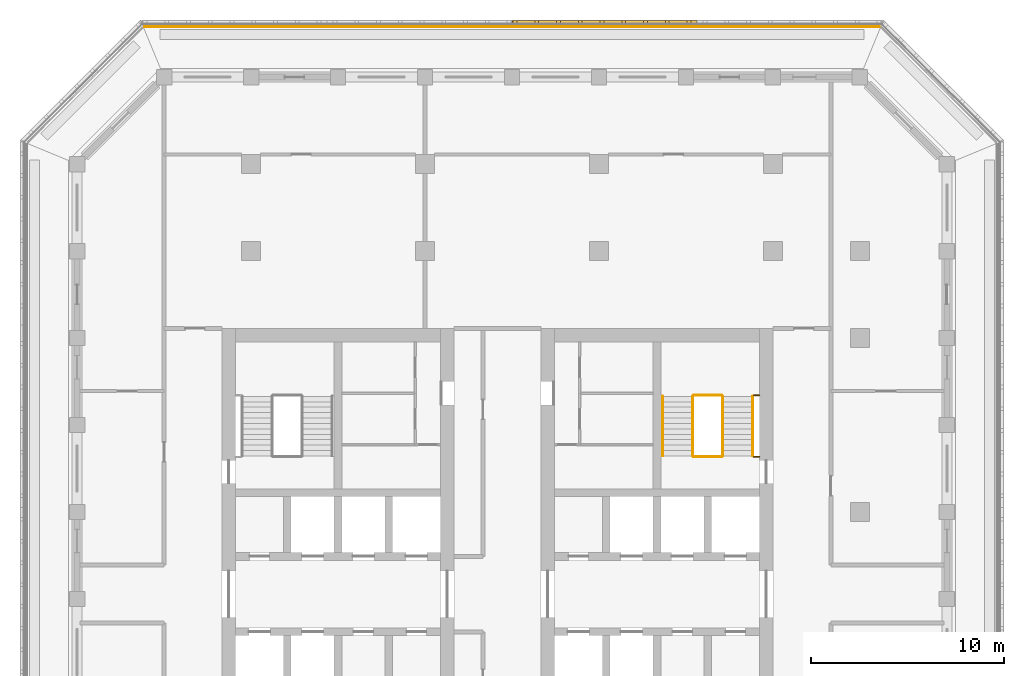
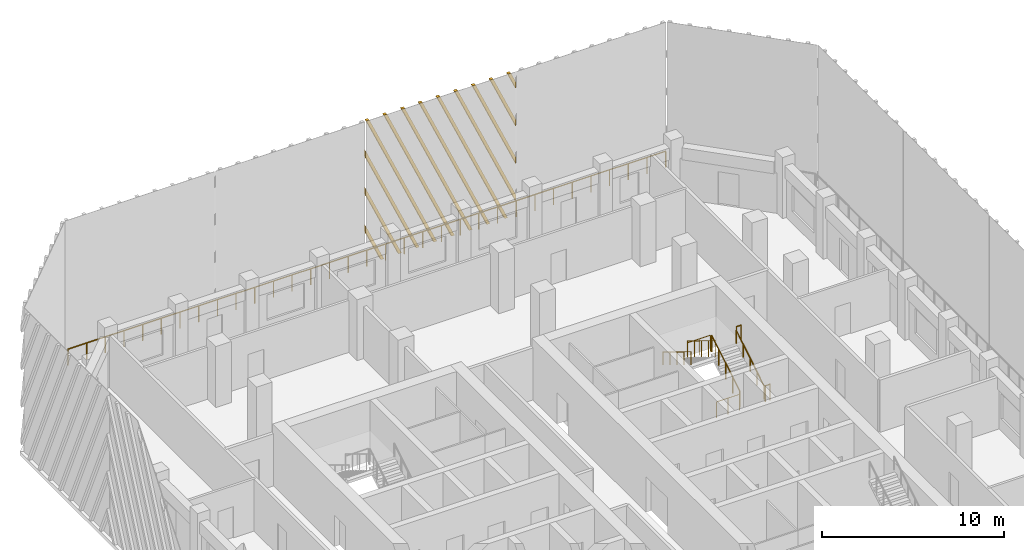
# One storey, part 15 of 17: 9 railings, 1 shading device.
"""IFC4 building model written with IfcOpenShell, lengths in metres."""

from ifc_helpers import new_model, si_unit, direction, frame, origin, origin_2d, place, context, subcontext, project, spatial, polyline, circle, outline, extrude, source, transform, mapped, material, type_object, element, save


model = new_model("IFC4")

# Units and contexts
model_context = context("Model", 3, precision=1e-05, world=origin(), true_north=direction((0.0, 1.0)))
body_context = subcontext(model_context, "Body", "Model", "MODEL_VIEW")
ifc_project = project(units=[si_unit("LENGTHUNIT", "METRE"), si_unit("AREAUNIT", "SQUARE_METRE"), si_unit("VOLUMEUNIT", "CUBIC_METRE"), si_unit("PLANEANGLEUNIT", "RADIAN"), si_unit("MASSUNIT", "GRAM", prefix="KILO")], contexts=[model_context])

# Site, building, storey
site_placement = place(None, origin())
site = spatial("IfcSite", under=ifc_project, at=site_placement, CompositionType="ELEMENT")
building_placement = place(site_placement, origin())
building = spatial("IfcBuilding", under=site, at=building_placement, Name="Corbel Stack Research Tower", CompositionType="ELEMENT")
storey_placement = place(building_placement, frame((0.0, 0.0, 256.199951171875)))
storey = spatial("IfcBuildingStorey", under=building, at=storey_placement, Name="L58", CompositionType="ELEMENT", Elevation=256.199951171875)

# Railings
ifc_material_1 = material(Name="Steel S355", Category="steel")
railing_type_1 = type_object("IfcRailingType", Name="Stair guard 1100", PredefinedType="GUARDRAIL", material=ifc_material_1)
railing_1_placement = place(storey_placement, frame((15.39990234375, 11.89990234375, 0.1708984375)))
element("IfcRailing", 1, at=railing_1_placement, inside=storey, type_object=railing_type_1, Name="L58 ST-E2 stair guard 1", PredefinedType="GUARDRAIL", context=body_context, shape_type="SweptSolid", body=[
    extrude(circle(Radius=0.02392578125, at=origin_2d()), frame((0.0, 0.0, 1.076171875), z_axis=(0.0, 0.853666305674, 0.52082035152), x_axis=(-1.0, 0.0, 0.0)), (0.0, 0.0, 1.0), 3.608154296875),
    extrude(circle(Radius=0.02099609375, at=origin_2d()), origin(), (0.0, 0.0, 1.0), 1.052001953125),
    extrude(circle(Radius=0.02099609375, at=origin_2d()), frame((0.0, 0.77001953125, 0.4697265625)), (0.0, 0.0, 1.0), 1.052001953125),
    extrude(circle(Radius=0.02099609375, at=origin_2d()), frame((0.0, 1.5400390625, 0.939453125)), (0.0, 0.0, 1.0), 1.052001953125),
    extrude(circle(Radius=0.02099609375, at=origin_2d()), frame((0.0, 2.31005859375, 1.409423828125)), (0.0, 0.0, 1.0), 1.052001953125),
    extrude(circle(Radius=0.02099609375, at=origin_2d()), frame((0.0, 3.080078125, 1.879150390625)), (0.0, 0.0, 1.0), 1.052001953125),
])
railing_2_placement = place(storey_placement, frame((15.35009765625, 15.030029296875, 2.050048828125)))
element("IfcRailing", 2, at=railing_2_placement, inside=storey, type_object=railing_type_1, Name="L58 ST-E2 stair guard 2", PredefinedType="GUARDRAIL", context=body_context, shape_type="SweptSolid", body=[
    extrude(circle(Radius=0.02392578125, at=origin_2d()), frame((0.0, 0.0, 1.076171875), z_axis=(-1.0, 0.0, 0.0), x_axis=(0.0, -1.0, 0.0)), (0.0, 0.0, 1.0), 1.4501953125),
    extrude(circle(Radius=0.02099609375, at=origin_2d()), origin(), (0.0, 0.0, 1.0), 1.052001953125),
    extrude(circle(Radius=0.02099609375, at=origin_2d()), frame((-0.72509765625, 0.0, 0.0)), (0.0, 0.0, 1.0), 1.052001953125),
    extrude(circle(Radius=0.02099609375, at=origin_2d()), frame((-1.4501953125, 0.0, 0.0)), (0.0, 0.0, 1.0), 1.052001953125),
])
railing_3_placement = place(storey_placement, frame((17.300048828125, 15.030029296875, 2.050048828125)))
element("IfcRailing", 3, at=railing_3_placement, inside=storey, type_object=railing_type_1, Name="L58 ST-E2 stair guard 3", PredefinedType="GUARDRAIL", context=body_context, shape_type="SweptSolid", body=[
    extrude(circle(Radius=0.02392578125, at=origin_2d()), frame((0.0, 0.0, 1.076171875), z_axis=(-1.0, 0.0, 0.0), x_axis=(0.0, -1.0, 0.0)), (0.0, 0.0, 1.0), 0.300048828125),
    extrude(circle(Radius=0.02099609375, at=origin_2d()), origin(), (0.0, 0.0, 1.0), 1.052001953125),
    extrude(circle(Radius=0.02099609375, at=origin_2d()), frame((-0.300048828125, 0.0, 0.0)), (0.0, 0.0, 1.0), 1.052001953125),
])
railing_4_placement = place(storey_placement, frame((13.85009765625, 14.97998046875, 2.220947265625)))
element("IfcRailing", 4, at=railing_4_placement, inside=storey, type_object=railing_type_1, Name="L58 ST-E2 stair guard 4", PredefinedType="GUARDRAIL", context=body_context, shape_type="SweptSolid", body=[
    extrude(circle(Radius=0.02392578125, at=origin_2d()), frame((0.0, 0.0, 1.076171875), z_axis=(0.0, -0.853666305674, 0.52082035152), x_axis=(1.0, 0.0, 0.0)), (0.0, 0.0, 1.0), 3.608154296875),
    extrude(circle(Radius=0.02099609375, at=origin_2d()), origin(), (0.0, 0.0, 1.0), 1.052001953125),
    extrude(circle(Radius=0.02099609375, at=origin_2d()), frame((0.0, -0.77001953125, 0.4697265625)), (0.0, 0.0, 1.0), 1.052001953125),
    extrude(circle(Radius=0.02099609375, at=origin_2d()), frame((0.0, -1.5400390625, 0.939453125)), (0.0, 0.0, 1.0), 1.052001953125),
    extrude(circle(Radius=0.02099609375, at=origin_2d()), frame((0.0, -2.31005859375, 1.409423828125)), (0.0, 0.0, 1.0), 1.052001953125),
    extrude(circle(Radius=0.02099609375, at=origin_2d()), frame((0.0, -3.080078125, 1.879150390625)), (0.0, 0.0, 1.0), 1.052001953125),
])
railing_5_placement = place(storey_placement, frame((15.35009765625, 11.85009765625, 0.0)))
element("IfcRailing", 5, at=railing_5_placement, inside=storey, type_object=railing_type_1, Name="L58 ST-E2 stair guard 5", PredefinedType="GUARDRAIL", context=body_context, shape_type="SweptSolid", body=[
    extrude(circle(Radius=0.02392578125, at=origin_2d()), frame((0.0, 0.0, 1.076171875), z_axis=(-1.0, 0.0, 0.0), x_axis=(0.0, -1.0, 0.0)), (0.0, 0.0, 1.0), 1.4501953125),
    extrude(circle(Radius=0.02099609375, at=origin_2d()), origin(), (0.0, 0.0, 1.0), 1.052001953125),
    extrude(circle(Radius=0.02099609375, at=origin_2d()), frame((-0.72509765625, 0.0, 0.0)), (0.0, 0.0, 1.0), 1.052001953125),
    extrude(circle(Radius=0.02099609375, at=origin_2d()), frame((-1.4501953125, 0.0, 0.0)), (0.0, 0.0, 1.0), 1.052001953125),
])
railing_6_placement = place(storey_placement, frame((17.300048828125, 11.85009765625, 0.0)))
element("IfcRailing", 6, at=railing_6_placement, inside=storey, type_object=railing_type_1, Name="L58 ST-E2 stair guard 6", PredefinedType="GUARDRAIL", context=body_context, shape_type="SweptSolid", body=[
    extrude(circle(Radius=0.02392578125, at=origin_2d()), frame((0.0, 0.0, 1.076171875), z_axis=(-1.0, 0.0, 0.0), x_axis=(0.0, -1.0, 0.0)), (0.0, 0.0, 1.0), 0.300048828125),
    extrude(circle(Radius=0.02099609375, at=origin_2d()), origin(), (0.0, 0.0, 1.0), 1.052001953125),
    extrude(circle(Radius=0.02099609375, at=origin_2d()), frame((-0.300048828125, 0.0, 0.0)), (0.0, 0.0, 1.0), 1.052001953125),
])
ifc_material_2 = material(Name="Steel S355", Category="steel")
railing_type_2 = type_object("IfcRailingType", Name="Stair handrail 900", PredefinedType="HANDRAIL", material=ifc_material_2)
railing_7_placement = place(storey_placement, frame((16.949951171875, 11.89990234375, 0.1708984375)))
element("IfcRailing", 7, at=railing_7_placement, inside=storey, type_object=railing_type_2, Name="L58 ST-E2 stair handrail 1", PredefinedType="HANDRAIL", context=body_context, shape_type="SweptSolid", body=[
    extrude(circle(Radius=0.02392578125, at=origin_2d()), frame((0.0, 0.0, 0.8759765625), z_axis=(0.0, 0.853666305674, 0.52082035152), x_axis=(-1.0, 0.0, 0.0)), (0.0, 0.0, 1.0), 3.608154296875),
    extrude(circle(Radius=0.02099609375, at=origin_2d()), origin(), (0.0, 0.0, 1.0), 0.851806640625),
    extrude(circle(Radius=0.02099609375, at=origin_2d()), frame((0.0, 0.77001953125, 0.4697265625)), (0.0, 0.0, 1.0), 0.851806640625),
    extrude(circle(Radius=0.02099609375, at=origin_2d()), frame((0.0, 1.5400390625, 0.939453125)), (0.0, 0.0, 1.0), 0.851806640625),
    extrude(circle(Radius=0.02099609375, at=origin_2d()), frame((0.0, 2.31005859375, 1.409423828125)), (0.0, 0.0, 1.0), 0.851806640625),
    extrude(circle(Radius=0.02099609375, at=origin_2d()), frame((0.0, 3.080078125, 1.879150390625)), (0.0, 0.0, 1.0), 0.851806640625),
])
railing_8_placement = place(storey_placement, frame((12.300048828125, 14.97998046875, 2.220947265625)))
element("IfcRailing", 8, at=railing_8_placement, inside=storey, type_object=railing_type_2, Name="L58 ST-E2 stair handrail 2", PredefinedType="HANDRAIL", context=body_context, shape_type="SweptSolid", body=[
    extrude(circle(Radius=0.02392578125, at=origin_2d()), frame((0.0, 0.0, 0.8759765625), z_axis=(0.0, -0.853666305674, 0.52082035152), x_axis=(1.0, 0.0, 0.0)), (0.0, 0.0, 1.0), 3.608154296875),
    extrude(circle(Radius=0.02099609375, at=origin_2d()), origin(), (0.0, 0.0, 1.0), 0.851806640625),
    extrude(circle(Radius=0.02099609375, at=origin_2d()), frame((0.0, -0.77001953125, 0.4697265625)), (0.0, 0.0, 1.0), 0.851806640625),
    extrude(circle(Radius=0.02099609375, at=origin_2d()), frame((0.0, -1.5400390625, 0.939453125)), (0.0, 0.0, 1.0), 0.851806640625),
    extrude(circle(Radius=0.02099609375, at=origin_2d()), frame((0.0, -2.31005859375, 1.409423828125)), (0.0, 0.0, 1.0), 0.851806640625),
    extrude(circle(Radius=0.02099609375, at=origin_2d()), frame((0.0, -3.080078125, 1.879150390625)), (0.0, 0.0, 1.0), 0.851806640625),
])
ifc_material_3 = material(Name="Powder-coated steel guard", Category="steel")
railing_type_3 = type_object("IfcRailingType", Name="Steel and glass guard 1100", PredefinedType="GUARDRAIL", material=ifc_material_3)
railing_9_placement = place(storey_placement, frame((23.50537109375, 34.10009765625, 0.0)))
element("IfcRailing", 9, at=railing_9_placement, inside=storey, type_object=railing_type_3, Name="Loggia guard L58 N", PredefinedType="GUARDRAIL", context=body_context, shape_type="SweptSolid", body=[
    extrude(circle(Radius=0.02392578125, at=origin_2d()), frame((0.0, 0.0, 1.076171875), z_axis=(-1.0, 0.0, 0.0), x_axis=(0.0, -1.0, 0.0)), (0.0, 0.0, 1.0), 38.0107421875),
    extrude(circle(Radius=0.02099609375, at=origin_2d()), origin(), (0.0, 0.0, 1.0), 1.052001953125),
    extrude(circle(Radius=0.02099609375, at=origin_2d()), frame((-1.187744140625, 0.0, 0.0)), (0.0, 0.0, 1.0), 1.052001953125),
    extrude(circle(Radius=0.02099609375, at=origin_2d()), frame((-2.375732421875, 0.0, 0.0)), (0.0, 0.0, 1.0), 1.052001953125),
    extrude(circle(Radius=0.02099609375, at=origin_2d()), frame((-3.5634765625, 0.0, 0.0)), (0.0, 0.0, 1.0), 1.052001953125),
    extrude(circle(Radius=0.02099609375, at=origin_2d()), frame((-4.75146484375, 0.0, 0.0)), (0.0, 0.0, 1.0), 1.052001953125),
    extrude(circle(Radius=0.02099609375, at=origin_2d()), frame((-5.939208984375, 0.0, 0.0)), (0.0, 0.0, 1.0), 1.052001953125),
    extrude(circle(Radius=0.02099609375, at=origin_2d()), frame((-7.126953125, 0.0, 0.0)), (0.0, 0.0, 1.0), 1.052001953125),
    extrude(circle(Radius=0.02099609375, at=origin_2d()), frame((-8.31494140625, 0.0, 0.0)), (0.0, 0.0, 1.0), 1.052001953125),
    extrude(circle(Radius=0.02099609375, at=origin_2d()), frame((-9.502685546875, 0.0, 0.0)), (0.0, 0.0, 1.0), 1.052001953125),
    extrude(circle(Radius=0.02099609375, at=origin_2d()), frame((-10.6904296875, 0.0, 0.0)), (0.0, 0.0, 1.0), 1.052001953125),
    extrude(circle(Radius=0.02099609375, at=origin_2d()), frame((-11.87841796875, 0.0, 0.0)), (0.0, 0.0, 1.0), 1.052001953125),
    extrude(circle(Radius=0.02099609375, at=origin_2d()), frame((-13.066162109375, 0.0, 0.0)), (0.0, 0.0, 1.0), 1.052001953125),
    extrude(circle(Radius=0.02099609375, at=origin_2d()), frame((-14.25390625, 0.0, 0.0)), (0.0, 0.0, 1.0), 1.052001953125),
    extrude(circle(Radius=0.02099609375, at=origin_2d()), frame((-15.44189453125, 0.0, 0.0)), (0.0, 0.0, 1.0), 1.052001953125),
    extrude(circle(Radius=0.02099609375, at=origin_2d()), frame((-16.629638671875, 0.0, 0.0)), (0.0, 0.0, 1.0), 1.052001953125),
    extrude(circle(Radius=0.02099609375, at=origin_2d()), frame((-17.817626953125, 0.0, 0.0)), (0.0, 0.0, 1.0), 1.052001953125),
    extrude(circle(Radius=0.02099609375, at=origin_2d()), frame((-19.00537109375, 0.0, 0.0)), (0.0, 0.0, 1.0), 1.052001953125),
    extrude(circle(Radius=0.02099609375, at=origin_2d()), frame((-20.193115234375, 0.0, 0.0)), (0.0, 0.0, 1.0), 1.052001953125),
    extrude(circle(Radius=0.02099609375, at=origin_2d()), frame((-21.381103515625, 0.0, 0.0)), (0.0, 0.0, 1.0), 1.052001953125),
    extrude(circle(Radius=0.02099609375, at=origin_2d()), frame((-22.56884765625, 0.0, 0.0)), (0.0, 0.0, 1.0), 1.052001953125),
    extrude(circle(Radius=0.02099609375, at=origin_2d()), frame((-23.7568359375, 0.0, 0.0)), (0.0, 0.0, 1.0), 1.052001953125),
    extrude(circle(Radius=0.02099609375, at=origin_2d()), frame((-24.944580078125, 0.0, 0.0)), (0.0, 0.0, 1.0), 1.052001953125),
    extrude(circle(Radius=0.02099609375, at=origin_2d()), frame((-26.13232421875, 0.0, 0.0)), (0.0, 0.0, 1.0), 1.052001953125),
    extrude(circle(Radius=0.02099609375, at=origin_2d()), frame((-27.3203125, 0.0, 0.0)), (0.0, 0.0, 1.0), 1.052001953125),
    extrude(circle(Radius=0.02099609375, at=origin_2d()), frame((-28.508056640625, 0.0, 0.0)), (0.0, 0.0, 1.0), 1.052001953125),
    extrude(circle(Radius=0.02099609375, at=origin_2d()), frame((-29.69580078125, 0.0, 0.0)), (0.0, 0.0, 1.0), 1.052001953125),
    extrude(circle(Radius=0.02099609375, at=origin_2d()), frame((-30.8837890625, 0.0, 0.0)), (0.0, 0.0, 1.0), 1.052001953125),
    extrude(circle(Radius=0.02099609375, at=origin_2d()), frame((-32.071533203125, 0.0, 0.0)), (0.0, 0.0, 1.0), 1.052001953125),
    extrude(circle(Radius=0.02099609375, at=origin_2d()), frame((-33.25927734375, 0.0, 0.0)), (0.0, 0.0, 1.0), 1.052001953125),
    extrude(circle(Radius=0.02099609375, at=origin_2d()), frame((-34.447265625, 0.0, 0.0)), (0.0, 0.0, 1.0), 1.052001953125),
    extrude(circle(Radius=0.02099609375, at=origin_2d()), frame((-35.635009765625, 0.0, 0.0)), (0.0, 0.0, 1.0), 1.052001953125),
    extrude(circle(Radius=0.02099609375, at=origin_2d()), frame((-36.822998046875, 0.0, 0.0)), (0.0, 0.0, 1.0), 1.052001953125),
    extrude(circle(Radius=0.02099609375, at=origin_2d()), frame((-38.0107421875, 0.0, 0.0)), (0.0, 0.0, 1.0), 1.052001953125),
])

# Shading device
ifc_material_4 = material(Name="Precast terracotta", Category="masonry")
shading_device_type = type_object("IfcShadingDeviceType", Name="Terracotta screen panel", PredefinedType="USERDEFINED", material=ifc_material_4)
shared_shape = source(origin(), body_context, "Body", "SweptSolid", [
    extrude(outline(polyline([(0.50732421875, 9.64990234375), (0.3173828125, 9.64990234375), (0.0, 8.937255859375), (0.0, 8.510498046875), (0.50732421875, 9.64990234375)])), frame((0.0, 0.0, 0.0), z_axis=(0.0, -1.0, 0.0), x_axis=(1.0, 0.0, 0.0)), (0.0, 0.0, 1.0), 0.179931640625),
    extrude(outline(polyline([(1.63232421875, 9.64990234375), (1.4423828125, 9.64990234375), (0.0, 6.410400390625), (0.0, 5.983642578125), (1.63232421875, 9.64990234375)])), frame((0.0, 0.0, 0.0), z_axis=(0.0, -1.0, 0.0), x_axis=(1.0, 0.0, 0.0)), (0.0, 0.0, 1.0), 0.179931640625),
    extrude(outline(polyline([(2.75732421875, 9.64990234375), (2.5673828125, 9.64990234375), (0.0, 3.883544921875), (0.0, 3.456787109375), (2.75732421875, 9.64990234375)])), frame((0.0, 0.0, 0.0), z_axis=(0.0, -1.0, 0.0), x_axis=(1.0, 0.0, 0.0)), (0.0, 0.0, 1.0), 0.179931640625),
    extrude(outline(polyline([(3.88232421875, 9.64990234375), (3.6923828125, 9.64990234375), (0.0, 1.356689453125), (0.0, 0.93017578125), (3.88232421875, 9.64990234375)])), frame((0.0, 0.0, 0.0), z_axis=(0.0, -1.0, 0.0), x_axis=(1.0, 0.0, 0.0)), (0.0, 0.0, 1.0), 0.179931640625),
    extrude(outline(polyline([(0.7109375, 0.0), (5.00732421875, 9.64990234375), (4.8173828125, 9.64990234375), (0.52099609375, 0.0), (0.7109375, 0.0)])), frame((0.0, 0.0, 0.0), z_axis=(0.0, -1.0, 0.0), x_axis=(1.0, 0.0, 0.0)), (0.0, 0.0, 1.0), 0.179931640625),
    extrude(outline(polyline([(1.8359375, 0.0), (6.13232421875, 9.64990234375), (5.9423828125, 9.64990234375), (1.64599609375, 0.0), (1.8359375, 0.0)])), frame((0.0, 0.0, 0.0), z_axis=(0.0, -1.0, 0.0), x_axis=(1.0, 0.0, 0.0)), (0.0, 0.0, 1.0), 0.179931640625),
    extrude(outline(polyline([(2.9609375, 0.0), (7.25732421875, 9.64990234375), (7.0673828125, 9.64990234375), (2.77099609375, 0.0), (2.9609375, 0.0)])), frame((0.0, 0.0, 0.0), z_axis=(0.0, -1.0, 0.0), x_axis=(1.0, 0.0, 0.0)), (0.0, 0.0, 1.0), 0.179931640625),
    extrude(outline(polyline([(4.0859375, 0.0), (8.38232421875, 9.64990234375), (8.1923828125, 9.64990234375), (3.89599609375, 0.0), (4.0859375, 0.0)])), frame((0.0, 0.0, 0.0), z_axis=(0.0, -1.0, 0.0), x_axis=(1.0, 0.0, 0.0)), (0.0, 0.0, 1.0), 0.179931640625),
    extrude(outline(polyline([(5.2109375, 0.0), (9.50732421875, 9.64990234375), (9.3173828125, 9.64990234375), (5.02099609375, 0.0), (5.2109375, 0.0)])), frame((0.0, 0.0, 0.0), z_axis=(0.0, -1.0, 0.0), x_axis=(1.0, 0.0, 0.0)), (0.0, 0.0, 1.0), 0.179931640625),
    extrude(outline(polyline([(6.3359375, 0.0), (9.569580078125, 7.262939453125), (9.569580078125, 7.689697265625), (6.14599609375, 0.0), (6.3359375, 0.0)])), frame((0.0, 0.0, 0.0), z_axis=(0.0, -1.0, 0.0), x_axis=(1.0, 0.0, 0.0)), (0.0, 0.0, 1.0), 0.179931640625),
    extrude(outline(polyline([(7.4609375, 0.0), (9.569580078125, 4.736083984375), (9.569580078125, 5.162841796875), (7.27099609375, 0.0), (7.4609375, 0.0)])), frame((0.0, 0.0, 0.0), z_axis=(0.0, -1.0, 0.0), x_axis=(1.0, 0.0, 0.0)), (0.0, 0.0, 1.0), 0.179931640625),
    extrude(outline(polyline([(8.5859375, 0.0), (9.569580078125, 2.209228515625), (9.569580078125, 2.635986328125), (8.39599609375, 0.0), (8.5859375, 0.0)])), frame((0.0, 0.0, 0.0), z_axis=(0.0, -1.0, 0.0), x_axis=(1.0, 0.0, 0.0)), (0.0, 0.0, 1.0), 0.179931640625),
])
shading_device_placement = place(storey_placement, frame((14.069580078125, 34.25, 0.0), z_axis=(0.0, 0.0, 1.0), x_axis=(-1.0, 0.0, 0.0)))
element("IfcShadingDevice", 10, at=shading_device_placement, inside=storey, type_object=shading_device_type, Name="Terracotta screen L58 N2", ObjectType="SCREEN", PredefinedType="USERDEFINED", context=body_context, shape_type="MappedRepresentation", body=[
    mapped(shared_shape, transform((0.0, 0.0, 0.0))),
])

save(model, "model.ifc")
